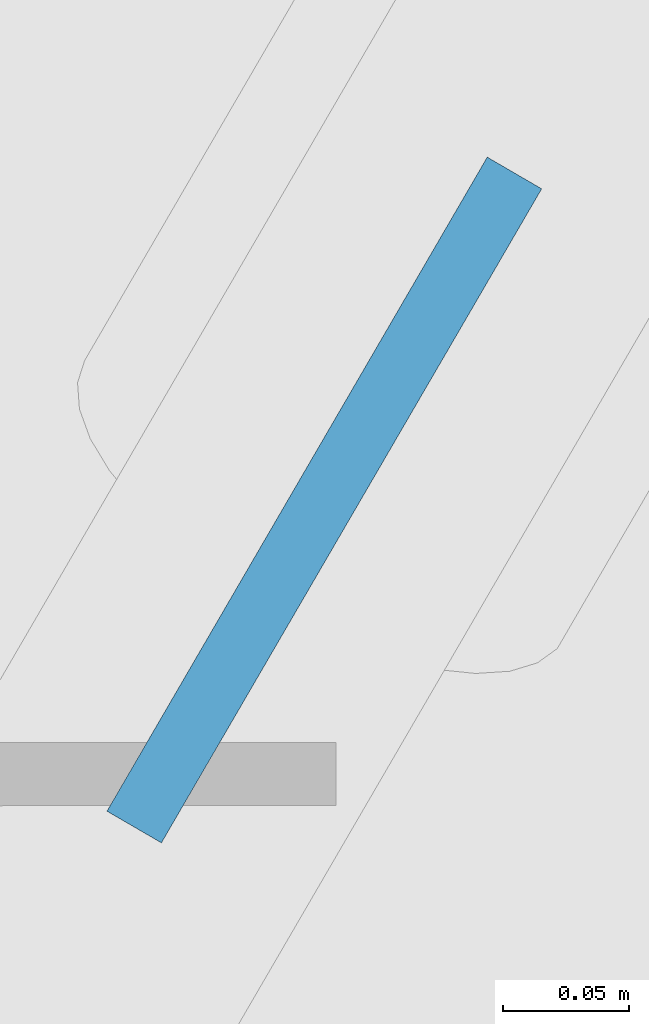
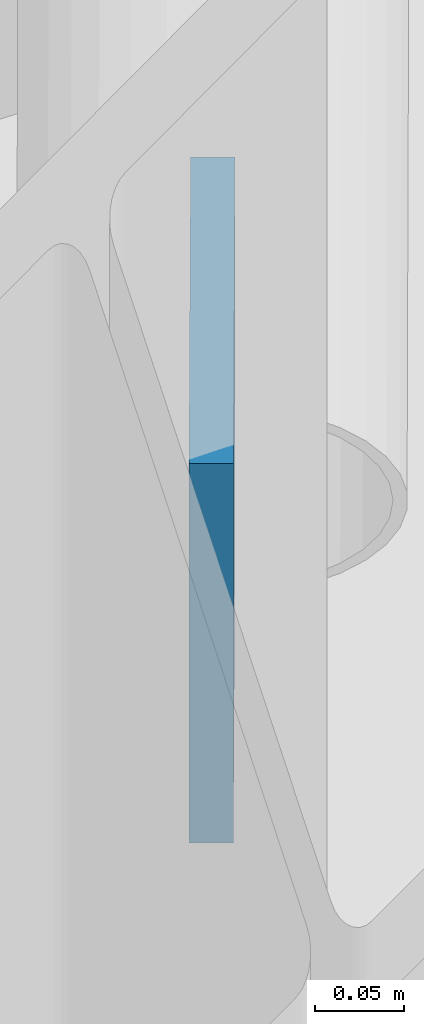
# One storey, part 34 of 58: 1 plate.
"""IFC4 building model written with IfcOpenShell, lengths in metres."""

from ifc_helpers import new_model, si_unit, direction, frame, origin, origin_2d, place, context, subcontext, project, spatial, rectangle, extrude, material, layer, layer_set, type_object, element, save


model = new_model("IFC4")

# Units and contexts
model_context = context("Model", 3, precision=1e-05, world=origin(), true_north=direction((0.0, 1.0)))
body_context = subcontext(model_context, "Body", "Model", "MODEL_VIEW")
ifc_project = project(units=[si_unit("LENGTHUNIT", "METRE"), si_unit("AREAUNIT", "SQUARE_METRE"), si_unit("VOLUMEUNIT", "CUBIC_METRE"), si_unit("PLANEANGLEUNIT", "RADIAN"), si_unit("MASSUNIT", "GRAM", prefix="KILO")], contexts=[model_context])

# Site, building, storey
site_placement = place(None, origin())
site = spatial("IfcSite", under=ifc_project, at=site_placement, CompositionType="ELEMENT")
building_placement = place(site_placement, origin())
building = spatial("IfcBuilding", under=site, at=building_placement, Name="Karori Crest Natural Sciences Institute", CompositionType="ELEMENT")
storey_placement = place(building_placement, frame((0.0, 0.0, -4.199951171875)))
storey = spatial("IfcBuildingStorey", under=building, at=storey_placement, Name="B1", CompositionType="ELEMENT", Elevation=-4.199951171875)

# Plate
ifc_material = material(Name="Structural steel AS/NZS 3679.1 Grade 350", Category="steel")
ifc_layer = layer(ifc_material, 0.02490234375, Name="Structural steel AS/NZS 3679.1 Grade 350")
ifc_layer_set = layer_set([ifc_layer], Name="Structural steel AS/NZS 3679.1 Grade 350")
plate_type = type_object("IfcPlateType", Name="PLT-06", PredefinedType="SHEET", material=ifc_layer_set)
plate_placement = place(storey_placement, frame((83.80419921875, 27.390380859375, 0.12060546875), z_axis=(0.0, 0.0, 1.0), x_axis=(0.502651840669, 0.86448893982, 0.0)))
element("IfcPlate", 1, at=plate_placement, inside=storey, type_object=plate_type, Name="Brace gusset plate EP-0007", PredefinedType="SHEET", context=body_context, shape_type="SweptSolid", body=[
    extrude(rectangle(XDim=0.299072265625, YDim=0.02490234375, at=origin_2d()), origin(), (0.0, 0.0, 1.0), 0.259033203125),
])

save(model, "model.ifc")
